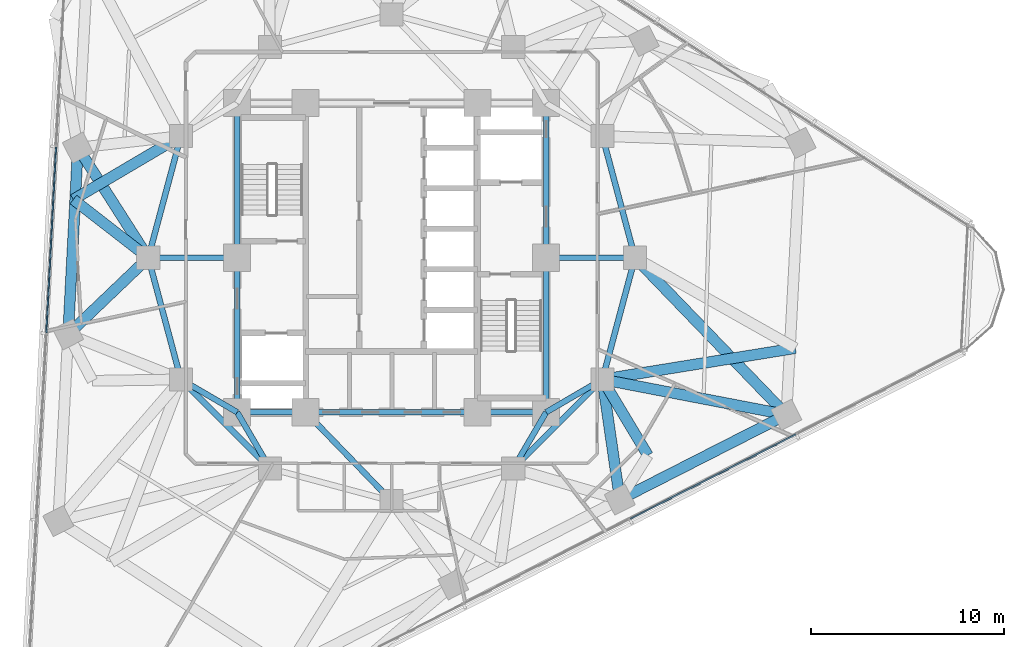
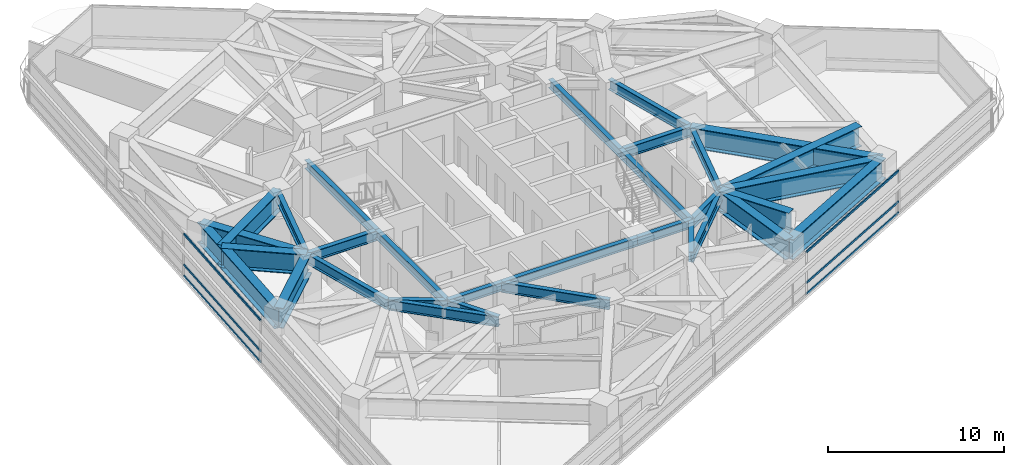
# One storey, part 3 of 15: 31 beams, 6 members, 2 elements without a shape of their own.
"""IFC4 building model written with IfcOpenShell, lengths in metres."""

from ifc_helpers import new_model, si_unit, direction, frame, origin, origin_2d, place, context, subcontext, project, spatial, rectangle, i_section, extrude, material, layer, layer_set, material_profile, profile_set, type_object, element, aggregate, save


model = new_model("IFC4")

# Units and contexts
model_context = context("Model", 3, precision=1e-05, world=origin(), true_north=direction((0.0, 1.0)))
body_context = subcontext(model_context, "Body", "Model", "MODEL_VIEW")
ifc_project = project(units=[si_unit("LENGTHUNIT", "METRE"), si_unit("AREAUNIT", "SQUARE_METRE"), si_unit("VOLUMEUNIT", "CUBIC_METRE"), si_unit("PLANEANGLEUNIT", "RADIAN"), si_unit("MASSUNIT", "GRAM", prefix="KILO")], contexts=[model_context])

# Site, building, storey
site_placement = place(None, origin())
site = spatial("IfcSite", under=ifc_project, at=site_placement, CompositionType="ELEMENT")
building_placement = place(site_placement, origin())
building = spatial("IfcBuilding", under=site, at=building_placement, Name="Terralouvre Media Tower", CompositionType="ELEMENT")
storey_placement = place(building_placement, frame((0.0, 0.0, 145.800048828125)))
storey = spatial("IfcBuildingStorey", under=building, at=storey_placement, Name="L37", CompositionType="ELEMENT", Elevation=145.800048828125)

# Curtain wall, members
ifc_material_1 = material(Name="Low-iron laminated double glazing with solar-control coating", Category="glass")
ifc_layer = layer(ifc_material_1, 0.1650390625, Name="Production Studio Tower Curtain Wall CW-03")
ifc_layer_set = layer_set([ifc_layer], Name="Low-iron laminated double glazing with solar-control coating")
curtain_wall_type = type_object("IfcCurtainWallType", Name="Production Studio Tower Curtain Wall CW-03", PredefinedType="NOTDEFINED", material=ifc_layer_set)
curtain_wall_1_placement = place(storey_placement, origin())
curtain_wall_1 = element("IfcCurtainWall", 1, at=curtain_wall_1_placement, inside=storey, type_object=curtain_wall_type, Name="L37 Facade Curtain Wall F0", PredefinedType="NOTDEFINED")
ifc_material_2 = material(Name="Anodised extruded aluminium 6063-T6", Category="aluminium")
ifc_material_profile_1 = material_profile(ifc_material_2, rectangle(XDim=0.074951171875, YDim=0.14990234375, at=origin_2d()), Name="ALU 75x150")
ifc_profile_set_1 = profile_set([ifc_material_profile_1], Name="Anodised extruded aluminium 6063-T6")
member_type = type_object("IfcMemberType", Name="Curtain-Wall Horizontal Transom TR-150", PredefinedType="USERDEFINED", material=ifc_profile_set_1)
member_1_placement = place(storey_placement, frame((12.359619140625, -13.513671875, 0.037353515625), z_axis=(0.891005548508, 0.453992414615, 0.0), x_axis=(-0.453992414615, 0.891005548508, 0.0)))
member_1 = element("IfcMember", 2, at=member_1_placement, type_object=member_type, Name="CW-03 transom 4.1", ObjectType="TRANSOM", PredefinedType="USERDEFINED", context=body_context, shape_type="SweptSolid", body=[
    extrude(rectangle(XDim=0.074951171875, YDim=0.14990234375, at=origin_2d()), origin(), (0.0, 0.0, 1.0), 9.60498046875),
])
member_2_placement = place(storey_placement, frame((12.359619140625, -13.513671875, 0.800048828125), z_axis=(0.891005548508, 0.453992414615, 0.0), x_axis=(-0.453992414615, 0.891005548508, 0.0)))
member_2 = element("IfcMember", 3, at=member_2_placement, type_object=member_type, Name="CW-03 transom 4.2", ObjectType="TRANSOM", PredefinedType="USERDEFINED", context=body_context, shape_type="SweptSolid", body=[
    extrude(rectangle(XDim=0.074951171875, YDim=0.14990234375, at=origin_2d()), origin(), (0.0, 0.0, 1.0), 9.60498046875),
])
member_3_placement = place(storey_placement, frame((12.359619140625, -13.513671875, 2.92236328125), z_axis=(0.891005548508, 0.453992414615, 0.0), x_axis=(-0.453992414615, 0.891005548508, 0.0)))
member_3 = element("IfcMember", 4, at=member_3_placement, type_object=member_type, Name="CW-03 transom 4.3", ObjectType="TRANSOM", PredefinedType="USERDEFINED", context=body_context, shape_type="SweptSolid", body=[
    extrude(rectangle(XDim=0.074951171875, YDim=0.14990234375, at=origin_2d()), origin(), (0.0, 0.0, 1.0), 9.60498046875),
])
aggregate(curtain_wall_1, [member_1, member_2, member_3])

curtain_wall_2_placement = place(storey_placement, origin())
curtain_wall_2 = element("IfcCurtainWall", 5, at=curtain_wall_2_placement, inside=storey, type_object=curtain_wall_type, Name="L37 Facade Curtain Wall F2", PredefinedType="NOTDEFINED")
member_4_placement = place(storey_placement, frame((-17.37646484375, 5.7197265625, 0.037353515625), z_axis=(-0.052336036535, -0.998629530547, 0.0), x_axis=(0.998629530547, -0.052336036535, 0.0)))
member_4 = element("IfcMember", 6, at=member_4_placement, type_object=member_type, Name="CW-03 transom 3.1", ObjectType="TRANSOM", PredefinedType="USERDEFINED", context=body_context, shape_type="SweptSolid", body=[
    extrude(rectangle(XDim=0.074951171875, YDim=0.14990234375, at=origin_2d()), origin(), (0.0, 0.0, 1.0), 9.60498046875),
])
member_5_placement = place(storey_placement, frame((-17.37646484375, 5.7197265625, 0.800048828125), z_axis=(-0.052336036535, -0.998629530547, 0.0), x_axis=(0.998629530547, -0.052336036535, 0.0)))
member_5 = element("IfcMember", 7, at=member_5_placement, type_object=member_type, Name="CW-03 transom 3.2", ObjectType="TRANSOM", PredefinedType="USERDEFINED", context=body_context, shape_type="SweptSolid", body=[
    extrude(rectangle(XDim=0.074951171875, YDim=0.14990234375, at=origin_2d()), origin(), (0.0, 0.0, 1.0), 9.60498046875),
])
member_6_placement = place(storey_placement, frame((-17.37646484375, 5.7197265625, 2.92236328125), z_axis=(-0.052336036535, -0.998629530547, 0.0), x_axis=(0.998629530547, -0.052336036535, 0.0)))
member_6 = element("IfcMember", 8, at=member_6_placement, type_object=member_type, Name="CW-03 transom 3.3", ObjectType="TRANSOM", PredefinedType="USERDEFINED", context=body_context, shape_type="SweptSolid", body=[
    extrude(rectangle(XDim=0.074951171875, YDim=0.14990234375, at=origin_2d()), origin(), (0.0, 0.0, 1.0), 9.60498046875),
])
aggregate(curtain_wall_2, [member_4, member_5, member_6])

# Beams
ifc_material_3 = material(Name="Structural steel S460M", Category="steel")
ifc_material_profile_2 = material_profile(ifc_material_3, i_section(OverallWidth=0.300048828125, OverallDepth=0.60009765625, WebThickness=0.015380859375, FlangeThickness=0.030029296875, at=origin_2d()), Name="HEB 600")
ifc_profile_set_2 = profile_set([ifc_material_profile_2], Name="Structural steel S460M")
beam_type_1 = type_object("IfcBeamType", Name="Primary Floor Girder B-HEB600 (HEB 600)", PredefinedType="BEAM", material=ifc_profile_set_2)
beam_1_placement = place(storey_placement, frame((-8.0, -8.0, 3.159912109375), z_axis=(1.0, 0.0, 0.0), x_axis=(0.0, 1.0, 0.0)))
element("IfcBeam", 9, at=beam_1_placement, inside=storey, type_object=beam_type_1, Name="L37 Framing Beam BM-L37-CPR01", PredefinedType="BEAM", context=body_context, shape_type="SweptSolid", body=[
    extrude(i_section(OverallWidth=0.300048828125, OverallDepth=0.60009765625, WebThickness=0.015380859375, FlangeThickness=0.030029296875, at=origin_2d()), origin(), (0.0, 0.0, 1.0), 3.550048828125),
])
beam_2_placement = place(storey_placement, frame((-4.449951171875, -8.0, 3.159912109375), z_axis=(1.0, 0.0, 0.0), x_axis=(0.0, 1.0, 0.0)))
element("IfcBeam", 10, at=beam_2_placement, inside=storey, type_object=beam_type_1, Name="L37 Framing Beam BM-L37-CPR02", PredefinedType="BEAM", context=body_context, shape_type="SweptSolid", body=[
    extrude(i_section(OverallWidth=0.300048828125, OverallDepth=0.60009765625, WebThickness=0.015380859375, FlangeThickness=0.030029296875, at=origin_2d()), origin(), (0.0, 0.0, 1.0), 8.89990234375),
])
beam_3_placement = place(storey_placement, frame((4.449951171875, -8.0, 3.159912109375), z_axis=(1.0, 0.0, 0.0), x_axis=(0.0, 1.0, 0.0)))
element("IfcBeam", 11, at=beam_3_placement, inside=storey, type_object=beam_type_1, Name="L37 Framing Beam BM-L37-CPR03", PredefinedType="BEAM", context=body_context, shape_type="SweptSolid", body=[
    extrude(i_section(OverallWidth=0.300048828125, OverallDepth=0.60009765625, WebThickness=0.015380859375, FlangeThickness=0.030029296875, at=origin_2d()), origin(), (0.0, 0.0, 1.0), 3.550048828125),
])
for number, where, z_axis, x_axis, name in (
    (12, (8.0, -8.0, 3.159912109375), (0.0, 1.0, 0.0), (-1.0, 0.0, 0.0), "L37 Framing Beam BM-L37-CPR04"),
    (13, (8.0, 0.0, 3.159912109375), (0.0, 1.0, 0.0), (-1.0, 0.0, 0.0), "L37 Framing Beam BM-L37-CPR05"),
    (14, (-8.0, 8.0, 3.159912109375), (0.0, -1.0, 0.0), (1.0, 0.0, 0.0), "L37 Framing Beam BM-L37-CPR09"),
    (15, (-8.0, 0.0, 3.159912109375), (0.0, -1.0, 0.0), (1.0, 0.0, 0.0), "L37 Framing Beam BM-L37-CPR10"),
):
    element("IfcBeam", number, at=place(storey_placement, frame(where, z_axis=z_axis, x_axis=x_axis)), inside=storey, type_object=beam_type_1, Name=name, PredefinedType="BEAM", context=body_context, shape_type="SweptSolid", body=[
        extrude(i_section(OverallWidth=0.300048828125, OverallDepth=0.60009765625, WebThickness=0.015380859375, FlangeThickness=0.030029296875, at=origin_2d()), origin(), (0.0, 0.0, 1.0), 8.0),
    ])
ifc_material_4 = material(Name="Structural steel S460M", Category="steel")
ifc_material_profile_3 = material_profile(ifc_material_4, i_section(OverallWidth=0.300048828125, OverallDepth=0.699951171875, WebThickness=0.01708984375, FlangeThickness=0.031982421875, at=origin_2d()), Name="HEB 700")
ifc_profile_set_3 = profile_set([ifc_material_profile_3], Name="Structural steel S460M")
beam_type_2 = type_object("IfcBeamType", Name="Primary Floor Girder B-HEB700 (HEB 700)", PredefinedType="BEAM", material=ifc_profile_set_3)
for number, where, z_axis, x_axis, name in (
    (16, (-10.911865234375, -6.300048828125, 3.10986328125), (0.707106781187, -0.707106781187, 0.0), (0.707106781187, 0.707106781187, 0.0), "L37 Framing Beam BM-L37-MR01"),
    (17, (6.300048828125, -10.911865234375, 3.10986328125), (0.707106781187, 0.707106781187, 0.0), (-0.707106781187, 0.707106781187, 0.0), "L37 Framing Beam BM-L37-MR04"),
):
    element("IfcBeam", number, at=place(storey_placement, frame(where, z_axis=z_axis, x_axis=x_axis)), inside=storey, type_object=beam_type_2, Name=name, PredefinedType="BEAM", context=body_context, shape_type="SweptSolid", body=[
        extrude(i_section(OverallWidth=0.300048828125, OverallDepth=0.699951171875, WebThickness=0.01708984375, FlangeThickness=0.031982421875, at=origin_2d()), origin(), (0.0, 0.0, 1.0), 6.52197265625),
    ])
for number, where, z_axis, x_axis, name in (
    (18, (10.911865234375, -6.300048828125, 3.10986328125), (0.258838989821, 0.965920481897, 0.0), (-0.965920481897, 0.258838989821, 0.0), "L37 Framing Beam BM-L37-MR05"),
    (19, (12.60009765625, 0.0, 3.10986328125), (-0.258838989821, 0.965920481897, 0.0), (-0.965920481897, -0.258838989821, 0.0), "L37 Framing Beam BM-L37-MR06"),
    (20, (-10.911865234375, 6.300048828125, 3.10986328125), (-0.258838989821, -0.965920481897, 0.0), (0.965920481897, -0.258838989821, 0.0), "L37 Framing Beam BM-L37-MR11"),
    (21, (-12.60009765625, 0.0, 3.10986328125), (0.258838989821, -0.965920481897, 0.0), (0.965920481897, 0.258838989821, 0.0), "L37 Framing Beam BM-L37-MR12"),
):
    element("IfcBeam", number, at=place(storey_placement, frame(where, z_axis=z_axis, x_axis=x_axis)), inside=storey, type_object=beam_type_2, Name=name, PredefinedType="BEAM", context=body_context, shape_type="SweptSolid", body=[
        extrude(i_section(OverallWidth=0.300048828125, OverallDepth=0.699951171875, WebThickness=0.01708984375, FlangeThickness=0.031982421875, at=origin_2d()), origin(), (0.0, 0.0, 1.0), 6.522216796875),
    ])
for number, where, z_axis, x_axis, name in (
    (22, (-8.0, -8.0, 3.10986328125), (-0.863602894532, 0.504172629717, 0.0), (-0.504172629717, -0.863602894532, 0.0), "L37 Framing Beam BM-L37-CM01"),
    (23, (-8.0, -8.0, 3.10986328125), (0.504172629717, -0.863602894532, 0.0), (0.863602894532, 0.504172629717, 0.0), "L37 Framing Beam BM-L37-CM02"),
):
    element("IfcBeam", number, at=place(storey_placement, frame(where, z_axis=z_axis, x_axis=x_axis)), inside=storey, type_object=beam_type_2, Name=name, PredefinedType="BEAM", context=body_context, shape_type="SweptSolid", body=[
        extrude(i_section(OverallWidth=0.300048828125, OverallDepth=0.699951171875, WebThickness=0.01708984375, FlangeThickness=0.031982421875, at=origin_2d()), origin(), (0.0, 0.0, 1.0), 3.371826171875),
    ])
beam_4_placement = place(storey_placement, frame((-4.449951171875, -8.0, 3.10986328125), z_axis=(0.695279715726, -0.718739255155, 0.0), x_axis=(0.718739255155, 0.695279715726, 0.0)))
element("IfcBeam", 24, at=beam_4_placement, inside=storey, type_object=beam_type_2, Name="L37 Framing Beam BM-L37-CM03", PredefinedType="BEAM", context=body_context, shape_type="SweptSolid", body=[
    extrude(i_section(OverallWidth=0.300048828125, OverallDepth=0.699951171875, WebThickness=0.01708984375, FlangeThickness=0.031982421875, at=origin_2d()), origin(), (0.0, 0.0, 1.0), 6.400146484375),
])
for number, where, z_axis, x_axis, name in (
    (25, (8.0, -8.0, 3.10986328125), (-0.504172629717, -0.863602894532, 0.0), (0.863602894532, -0.504172629717, 0.0), "L37 Framing Beam BM-L37-CM04"),
    (26, (8.0, -8.0, 3.10986328125), (0.863602894532, 0.504172629717, 0.0), (-0.504172629717, 0.863602894532, 0.0), "L37 Framing Beam BM-L37-CM05"),
):
    element("IfcBeam", number, at=place(storey_placement, frame(where, z_axis=z_axis, x_axis=x_axis)), inside=storey, type_object=beam_type_2, Name=name, PredefinedType="BEAM", context=body_context, shape_type="SweptSolid", body=[
        extrude(i_section(OverallWidth=0.300048828125, OverallDepth=0.699951171875, WebThickness=0.01708984375, FlangeThickness=0.031982421875, at=origin_2d()), origin(), (0.0, 0.0, 1.0), 3.371826171875),
    ])
for number, where, z_axis, x_axis, name in (
    (27, (8.0, 0.0, 3.10986328125), (1.0, 0.0, 0.0), (0.0, 1.0, 0.0), "L37 Framing Beam BM-L37-CM06"),
    (28, (-8.0, 0.0, 3.10986328125), (-1.0, 0.0, 0.0), (0.0, -1.0, 0.0), "L37 Framing Beam BM-L37-CM12"),
):
    element("IfcBeam", number, at=place(storey_placement, frame(where, z_axis=z_axis, x_axis=x_axis)), inside=storey, type_object=beam_type_2, Name=name, PredefinedType="BEAM", context=body_context, shape_type="SweptSolid", body=[
        extrude(i_section(OverallWidth=0.300048828125, OverallDepth=0.699951171875, WebThickness=0.01708984375, FlangeThickness=0.031982421875, at=origin_2d()), origin(), (0.0, 0.0, 1.0), 4.60009765625),
    ])
ifc_material_5 = material(Name="Structural steel S460M", Category="steel")
ifc_material_profile_4 = material_profile(ifc_material_5, i_section(OverallWidth=0.56005859375, OverallDepth=1.39990234375, WebThickness=0.031982421875, FlangeThickness=0.050048828125, at=origin_2d()), Name="TG 1400x560")
ifc_profile_set_4 = profile_set([ifc_material_profile_4], Name="Structural steel S460M")
beam_type_3 = type_object("IfcBeamType", Name="Welded Transfer Girder TG-1400 (TG 1400x560)", PredefinedType="USERDEFINED", material=ifc_profile_set_4)
for number, where, z_axis, x_axis, name in (
    (29, (11.813232421875, -12.523681640625, 2.760009765625), (0.891011779054, 0.453980186338, 0.0), (-0.453980186338, 0.891011779054, 0.0), "L37 Framing Beam BM-L37-PR05"),
    (30, (-16.245849609375, 5.697998046875, 2.760009765625), (-0.052333792648, -0.998629648141, 0.0), (0.998629648141, -0.052333792648, 0.0), "L37 Framing Beam BM-L37-PR12"),
):
    element("IfcBeam", number, at=place(storey_placement, frame(where, z_axis=z_axis, x_axis=x_axis)), inside=storey, type_object=beam_type_3, Name=name, ObjectType="TRANSFER GIRDER", PredefinedType="USERDEFINED", context=body_context, shape_type="SweptSolid", body=[
        extrude(i_section(OverallWidth=0.56005859375, OverallDepth=1.39990234375, WebThickness=0.031982421875, FlangeThickness=0.050048828125, at=origin_2d()), origin(), (0.0, 0.0, 1.0), 9.679931640625),
    ])
beam_5_placement = place(storey_placement, frame((-12.60009765625, 0.0, 2.760009765625), z_axis=(-0.722907652864, -0.690944661627, 0.0), x_axis=(0.690944661627, -0.722907652864, 0.0)))
element("IfcBeam", 31, at=beam_5_placement, inside=storey, type_object=beam_type_3, Name="L37 Framing Beam BM-L37-RD01", ObjectType="TRANSFER GIRDER", PredefinedType="USERDEFINED", context=body_context, shape_type="SweptSolid", body=[
    extrude(i_section(OverallWidth=0.56005859375, OverallDepth=1.39990234375, WebThickness=0.031982421875, FlangeThickness=0.050048828125, at=origin_2d()), origin(), (0.0, 0.0, 1.0), 5.743896484375),
])
beam_6_placement = place(storey_placement, frame((10.911865234375, -6.300048828125, 2.760009765625), z_axis=(0.982061695862, -0.188559872511, 0.0), x_axis=(0.188559872511, 0.982061695862, 0.0)))
element("IfcBeam", 32, at=beam_6_placement, inside=storey, type_object=beam_type_3, Name="L37 Framing Beam BM-L37-RD06", ObjectType="TRANSFER GIRDER", PredefinedType="USERDEFINED", context=body_context, shape_type="SweptSolid", body=[
    extrude(i_section(OverallWidth=0.56005859375, OverallDepth=1.39990234375, WebThickness=0.031982421875, FlangeThickness=0.050048828125, at=origin_2d()), origin(), (0.0, 0.0, 1.0), 9.700439453125),
])
beam_7_placement = place(storey_placement, frame((11.813232421875, -12.523681640625, 2.760009765625), z_axis=(-0.143334286509, 0.98967433144, 0.0), x_axis=(-0.98967433144, -0.143334286509, 0.0)))
element("IfcBeam", 33, at=beam_7_placement, inside=storey, type_object=beam_type_3, Name="L37 Framing Beam BM-L37-TRC03", ObjectType="TRANSFER GIRDER", PredefinedType="USERDEFINED", context=body_context, shape_type="SweptSolid", body=[
    extrude(i_section(OverallWidth=0.56005859375, OverallDepth=1.39990234375, WebThickness=0.031982421875, FlangeThickness=0.050048828125, at=origin_2d()), origin(), (0.0, 0.0, 1.0), 6.28857421875),
])
beam_8_placement = place(storey_placement, frame((13.267578125, -10.23095703125, 2.760009765625), z_axis=(-0.514041286901, 0.857765443091, 0.0), x_axis=(-0.857765443091, -0.514041286901, 0.0)))
element("IfcBeam", 34, at=beam_8_placement, inside=storey, type_object=beam_type_3, Name="L37 Framing Beam BM-L37-TR03S2", ObjectType="TRANSFER GIRDER", PredefinedType="USERDEFINED", context=body_context, shape_type="SweptSolid", body=[
    extrude(i_section(OverallWidth=0.56005859375, OverallDepth=1.39990234375, WebThickness=0.031982421875, FlangeThickness=0.050048828125, at=origin_2d()), origin(), (0.0, 0.0, 1.0), 4.582763671875),
])
beam_9_placement = place(storey_placement, frame((20.438232421875, -8.129150390625, 2.760009765625), z_axis=(-0.69410396184, 0.719874773942, 0.0), x_axis=(-0.719874773942, -0.69410396184, 0.0)))
element("IfcBeam", 35, at=beam_9_placement, inside=storey, type_object=beam_type_3, Name="L37 Framing Beam BM-L37-TRC04", ObjectType="TRANSFER GIRDER", PredefinedType="USERDEFINED", context=body_context, shape_type="SweptSolid", body=[
    extrude(i_section(OverallWidth=0.56005859375, OverallDepth=1.39990234375, WebThickness=0.031982421875, FlangeThickness=0.050048828125, at=origin_2d()), origin(), (0.0, 0.0, 1.0), 11.29248046875),
])
beam_10_placement = place(storey_placement, frame((20.904541015625, -4.682373046875, 2.760009765625), z_axis=(-0.987148493909, -0.159805666275, 0.0), x_axis=(0.159805666275, -0.987148493909, 0.0)))
element("IfcBeam", 36, at=beam_10_placement, inside=storey, type_object=beam_type_3, Name="L37 Framing Beam BM-L37-TR04S2", ObjectType="TRANSFER GIRDER", PredefinedType="USERDEFINED", context=body_context, shape_type="SweptSolid", body=[
    extrude(i_section(OverallWidth=0.56005859375, OverallDepth=1.39990234375, WebThickness=0.031982421875, FlangeThickness=0.050048828125, at=origin_2d()), origin(), (0.0, 0.0, 1.0), 10.122802734375),
])
beam_11_placement = place(storey_placement, frame((-16.245849609375, 5.697998046875, 2.760009765625), z_axis=(0.538952300781, -0.84233628527, 0.0), x_axis=(0.84233628527, 0.538952300781, 0.0)))
element("IfcBeam", 37, at=beam_11_placement, inside=storey, type_object=beam_type_3, Name="L37 Framing Beam BM-L37-TRC10", ObjectType="TRANSFER GIRDER", PredefinedType="USERDEFINED", context=body_context, shape_type="SweptSolid", body=[
    extrude(i_section(OverallWidth=0.56005859375, OverallDepth=1.39990234375, WebThickness=0.031982421875, FlangeThickness=0.050048828125, at=origin_2d()), origin(), (0.0, 0.0, 1.0), 6.764404296875),
])
beam_12_placement = place(storey_placement, frame((-16.480712890625, 3.013916015625, 2.760009765625), z_axis=(0.78978010095, -0.613390081549, 0.0), x_axis=(0.613390081549, 0.78978010095, 0.0)))
element("IfcBeam", 38, at=beam_12_placement, inside=storey, type_object=beam_type_3, Name="L37 Framing Beam BM-L37-TR10S1", ObjectType="TRANSFER GIRDER", PredefinedType="USERDEFINED", context=body_context, shape_type="SweptSolid", body=[
    extrude(i_section(OverallWidth=0.56005859375, OverallDepth=1.39990234375, WebThickness=0.031982421875, FlangeThickness=0.050048828125, at=origin_2d()), origin(), (0.0, 0.0, 1.0), 4.91357421875),
])
beam_13_placement = place(storey_placement, frame((-16.480712890625, 3.013916015625, 2.760009765625), z_axis=(0.861234554313, 0.508207676504, 0.0), x_axis=(-0.508207676504, 0.861234554313, 0.0)))
element("IfcBeam", 39, at=beam_13_placement, inside=storey, type_object=beam_type_3, Name="L37 Framing Beam BM-L37-TR10S2", ObjectType="TRANSFER GIRDER", PredefinedType="USERDEFINED", context=body_context, shape_type="SweptSolid", body=[
    extrude(i_section(OverallWidth=0.56005859375, OverallDepth=1.39990234375, WebThickness=0.031982421875, FlangeThickness=0.050048828125, at=origin_2d()), origin(), (0.0, 0.0, 1.0), 6.466064453125),
])

save(model, "model.ifc")
